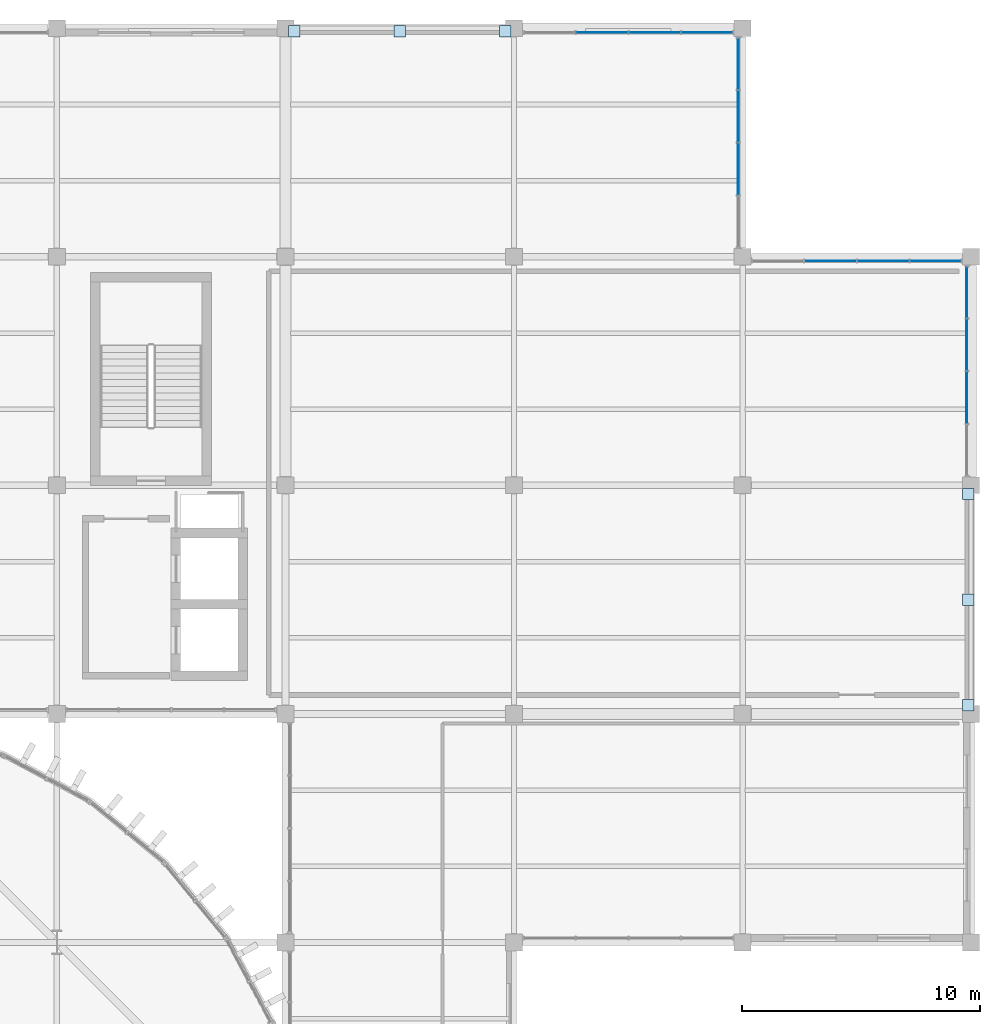
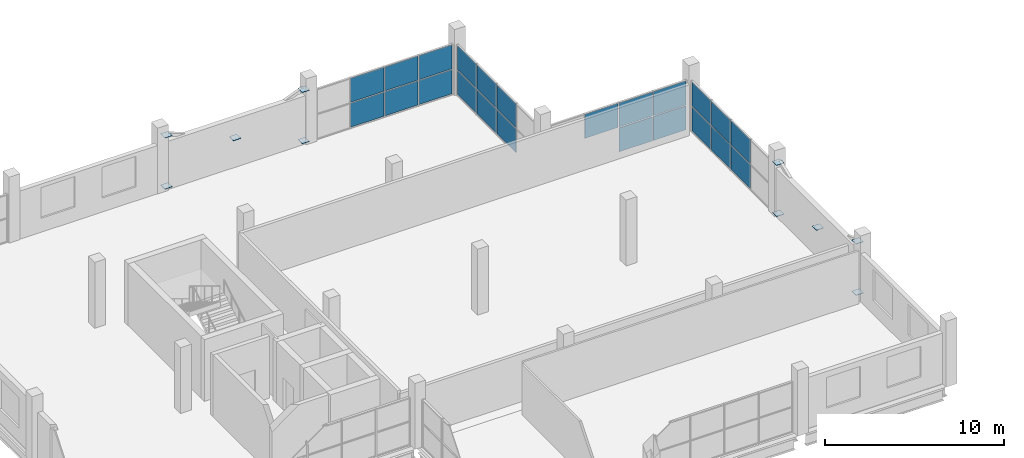
# One storey, part 55 of 92: 33 plates, 4 elements without a shape of their own.
"""IFC4 building model written with IfcOpenShell, lengths in metres."""

from ifc_helpers import new_model, si_unit, direction, frame, origin, origin_2d, place, context, subcontext, project, spatial, rectangle, extrude, material, layer, layer_set, type_object, element, aggregate, save


model = new_model("IFC4")

# Units and contexts
model_context = context("Model", 3, precision=1e-05, world=origin(), true_north=direction((0.0, 1.0)))
body_context = subcontext(model_context, "Body", "Model", "MODEL_VIEW")
ifc_project = project(units=[si_unit("LENGTHUNIT", "METRE"), si_unit("AREAUNIT", "SQUARE_METRE"), si_unit("VOLUMEUNIT", "CUBIC_METRE"), si_unit("PLANEANGLEUNIT", "RADIAN"), si_unit("MASSUNIT", "GRAM", prefix="KILO")], contexts=[model_context])

# Site, building, storey
site_placement = place(None, origin())
site = spatial("IfcSite", under=ifc_project, at=site_placement, CompositionType="ELEMENT")
building_placement = place(site_placement, origin())
building = spatial("IfcBuilding", under=site, at=building_placement, Name="Caelomonte Colonnade Arena", CompositionType="ELEMENT")
storey_placement = place(building_placement, frame((0.0, 0.0, 9.60009765625)))
storey = spatial("IfcBuildingStorey", under=building, at=storey_placement, Name="L02", CompositionType="ELEMENT", Elevation=9.60009765625)

# Curtain wall, plates
ifc_material_1 = material(Name="Bronze anodised aluminium and low-E glazing", Category="aluminium")
ifc_layer_1 = layer(ifc_material_1, 0.179931640625)
ifc_layer_set_1 = layer_set([ifc_layer_1], Name="Bronze anodised aluminium and low-E glazing")
curtain_wall_type = type_object("IfcCurtainWallType", Name="ENV-CW-CW-L02-96-35", PredefinedType="USERDEFINED", material=ifc_layer_set_1)
curtain_wall_1_placement = place(storey_placement, origin())
curtain_wall_1 = element("IfcCurtainWall", 1, at=curtain_wall_1_placement, inside=storey, type_object=curtain_wall_type, Name="L02 unitized curtain wall CW-L02-1918-1296", ObjectType="UNITIZED CURTAIN WALL", PredefinedType="USERDEFINED")
ifc_material_2 = material(Name="Solar-control bronze low-E double glazing", Category="glass")
ifc_layer_2 = layer(ifc_material_2, 0.028076171875)
ifc_layer_set_2 = layer_set([ifc_layer_2], Name="Solar-control bronze low-E double glazing")
plate_type_1 = type_object("IfcPlateType", Name="ENV-CW-PAN28", PredefinedType="CURTAIN_PANEL", material=ifc_layer_set_2)
plate_1_placement = place(storey_placement, frame((191.820068359375, 128.492431640625, 0.06494140625), z_axis=(0.0, 0.0, 1.0), x_axis=(0.0, 1.0, 0.0)))
plate_1 = element("IfcPlate", 2, at=plate_1_placement, type_object=plate_type_1, Name="CW-L02-96-35 panel 2.1", PredefinedType="CURTAIN_PANEL", context=body_context, shape_type="SweptSolid", body=[
    extrude(rectangle(XDim=2.14990234375, YDim=0.028076171875, at=origin_2d()), origin(), (0.0, 0.0, 1.0), 1.637451171875),
])
plate_2_placement = place(storey_placement, frame((191.820068359375, 128.492431640625, 1.767578125), z_axis=(0.0, 0.0, 1.0), x_axis=(0.0, 1.0, 0.0)))
plate_2 = element("IfcPlate", 3, at=plate_2_placement, type_object=plate_type_1, Name="CW-L02-96-35 panel 2.2", PredefinedType="CURTAIN_PANEL", context=body_context, shape_type="SweptSolid", body=[
    extrude(rectangle(XDim=2.14990234375, YDim=0.028076171875, at=origin_2d()), origin(), (0.0, 0.0, 1.0), 1.637451171875),
])
plate_3_placement = place(storey_placement, frame((191.820068359375, 130.70751953125, 0.06494140625), z_axis=(0.0, 0.0, 1.0), x_axis=(0.0, 1.0, 0.0)))
plate_3 = element("IfcPlate", 4, at=plate_3_placement, type_object=plate_type_1, Name="CW-L02-96-35 panel 3.1", PredefinedType="CURTAIN_PANEL", context=body_context, shape_type="SweptSolid", body=[
    extrude(rectangle(XDim=2.14990234375, YDim=0.028076171875, at=origin_2d()), origin(), (0.0, 0.0, 1.0), 1.637451171875),
])
plate_4_placement = place(storey_placement, frame((191.820068359375, 130.70751953125, 1.767578125), z_axis=(0.0, 0.0, 1.0), x_axis=(0.0, 1.0, 0.0)))
plate_4 = element("IfcPlate", 5, at=plate_4_placement, type_object=plate_type_1, Name="CW-L02-96-35 panel 3.2", PredefinedType="CURTAIN_PANEL", context=body_context, shape_type="SweptSolid", body=[
    extrude(rectangle(XDim=2.14990234375, YDim=0.028076171875, at=origin_2d()), origin(), (0.0, 0.0, 1.0), 1.637451171875),
])
plate_5_placement = place(storey_placement, frame((191.820068359375, 132.90625, 0.06494140625), z_axis=(0.0, 0.0, 1.0), x_axis=(0.0, 1.0, 0.0)))
plate_5 = element("IfcPlate", 6, at=plate_5_placement, type_object=plate_type_1, Name="CW-L02-96-35 panel 4.1", PredefinedType="CURTAIN_PANEL", context=body_context, shape_type="SweptSolid", body=[
    extrude(rectangle(XDim=2.117431640625, YDim=0.028076171875, at=origin_2d()), origin(), (0.0, 0.0, 1.0), 1.637451171875),
])
plate_6_placement = place(storey_placement, frame((191.820068359375, 132.90625, 1.767578125), z_axis=(0.0, 0.0, 1.0), x_axis=(0.0, 1.0, 0.0)))
plate_6 = element("IfcPlate", 7, at=plate_6_placement, type_object=plate_type_1, Name="CW-L02-96-35 panel 4.2", PredefinedType="CURTAIN_PANEL", context=body_context, shape_type="SweptSolid", body=[
    extrude(rectangle(XDim=2.117431640625, YDim=0.028076171875, at=origin_2d()), origin(), (0.0, 0.0, 1.0), 1.637451171875),
])
aggregate(curtain_wall_1, [plate_1, plate_2, plate_3, plate_4, plate_5, plate_6])

curtain_wall_2_placement = place(storey_placement, origin())
curtain_wall_2 = element("IfcCurtainWall", 8, at=curtain_wall_2_placement, inside=storey, type_object=curtain_wall_type, Name="L02 unitized curtain wall CW-L02-1872-1342", ObjectType="UNITIZED CURTAIN WALL", PredefinedType="USERDEFINED")
plate_7_placement = place(storey_placement, frame((190.50634765625, 134.219970703125, 0.06494140625), z_axis=(0.0, 0.0, 1.0), x_axis=(-1.0, 0.0, 0.0)))
plate_7 = element("IfcPlate", 9, at=plate_7_placement, type_object=plate_type_1, Name="CW-L02-96-35 panel 1.1", PredefinedType="CURTAIN_PANEL", context=body_context, shape_type="SweptSolid", body=[
    extrude(rectangle(XDim=2.117431640625, YDim=0.028076171875, at=origin_2d()), origin(), (0.0, 0.0, 1.0), 1.63525390625),
])
plate_8_placement = place(storey_placement, frame((190.50634765625, 134.219970703125, 1.76513671875), z_axis=(0.0, 0.0, 1.0), x_axis=(-1.0, 0.0, 0.0)))
plate_8 = element("IfcPlate", 10, at=plate_8_placement, type_object=plate_type_1, Name="CW-L02-96-35 panel 1.2", PredefinedType="CURTAIN_PANEL", context=body_context, shape_type="SweptSolid", body=[
    extrude(rectangle(XDim=2.117431640625, YDim=0.028076171875, at=origin_2d()), origin(), (0.0, 0.0, 1.0), 1.63525390625),
])
plate_9_placement = place(storey_placement, frame((188.3076171875, 134.219970703125, 0.06494140625), z_axis=(0.0, 0.0, 1.0), x_axis=(-1.0, 0.0, 0.0)))
plate_9 = element("IfcPlate", 11, at=plate_9_placement, type_object=plate_type_1, Name="CW-L02-96-35 panel 2.1", PredefinedType="CURTAIN_PANEL", context=body_context, shape_type="SweptSolid", body=[
    extrude(rectangle(XDim=2.14990234375, YDim=0.028076171875, at=origin_2d()), origin(), (0.0, 0.0, 1.0), 1.63525390625),
])
plate_10_placement = place(storey_placement, frame((188.3076171875, 134.219970703125, 1.76513671875), z_axis=(0.0, 0.0, 1.0), x_axis=(-1.0, 0.0, 0.0)))
plate_10 = element("IfcPlate", 12, at=plate_10_placement, type_object=plate_type_1, Name="CW-L02-96-35 panel 2.2", PredefinedType="CURTAIN_PANEL", context=body_context, shape_type="SweptSolid", body=[
    extrude(rectangle(XDim=2.14990234375, YDim=0.028076171875, at=origin_2d()), origin(), (0.0, 0.0, 1.0), 1.63525390625),
])
plate_11_placement = place(storey_placement, frame((186.092529296875, 134.219970703125, 1.76513671875), z_axis=(0.0, 0.0, 1.0), x_axis=(-1.0, 0.0, 0.0)))
plate_11 = element("IfcPlate", 13, at=plate_11_placement, type_object=plate_type_1, Name="CW-L02-96-35 panel 3.2", PredefinedType="CURTAIN_PANEL", context=body_context, shape_type="SweptSolid", body=[
    extrude(rectangle(XDim=2.14990234375, YDim=0.028076171875, at=origin_2d()), origin(), (0.0, 0.0, 1.0), 1.63525390625),
])
aggregate(curtain_wall_2, [plate_7, plate_8, plate_9, plate_10, plate_11])

curtain_wall_3_placement = place(storey_placement, origin())
curtain_wall_3 = element("IfcCurtainWall", 14, at=curtain_wall_3_placement, inside=storey, type_object=curtain_wall_type, Name="L02 unitized curtain wall CW-L02-1822-1392", ObjectType="UNITIZED CURTAIN WALL", PredefinedType="USERDEFINED")
plate_12_placement = place(storey_placement, frame((182.219970703125, 138.092529296875, 0.06494140625), z_axis=(0.0, 0.0, 1.0), x_axis=(0.0, 1.0, 0.0)))
plate_12 = element("IfcPlate", 15, at=plate_12_placement, type_object=plate_type_1, Name="CW-L02-96-35 panel 2.1", PredefinedType="CURTAIN_PANEL", context=body_context, shape_type="SweptSolid", body=[
    extrude(rectangle(XDim=2.14990234375, YDim=0.028076171875, at=origin_2d()), origin(), (0.0, 0.0, 1.0), 1.637451171875),
])
plate_13_placement = place(storey_placement, frame((182.219970703125, 138.092529296875, 1.767578125), z_axis=(0.0, 0.0, 1.0), x_axis=(0.0, 1.0, 0.0)))
plate_13 = element("IfcPlate", 16, at=plate_13_placement, type_object=plate_type_1, Name="CW-L02-96-35 panel 2.2", PredefinedType="CURTAIN_PANEL", context=body_context, shape_type="SweptSolid", body=[
    extrude(rectangle(XDim=2.14990234375, YDim=0.028076171875, at=origin_2d()), origin(), (0.0, 0.0, 1.0), 1.637451171875),
])
plate_14_placement = place(storey_placement, frame((182.219970703125, 140.3076171875, 0.06494140625), z_axis=(0.0, 0.0, 1.0), x_axis=(0.0, 1.0, 0.0)))
plate_14 = element("IfcPlate", 17, at=plate_14_placement, type_object=plate_type_1, Name="CW-L02-96-35 panel 3.1", PredefinedType="CURTAIN_PANEL", context=body_context, shape_type="SweptSolid", body=[
    extrude(rectangle(XDim=2.14990234375, YDim=0.028076171875, at=origin_2d()), origin(), (0.0, 0.0, 1.0), 1.637451171875),
])
plate_15_placement = place(storey_placement, frame((182.219970703125, 140.3076171875, 1.767578125), z_axis=(0.0, 0.0, 1.0), x_axis=(0.0, 1.0, 0.0)))
plate_15 = element("IfcPlate", 18, at=plate_15_placement, type_object=plate_type_1, Name="CW-L02-96-35 panel 3.2", PredefinedType="CURTAIN_PANEL", context=body_context, shape_type="SweptSolid", body=[
    extrude(rectangle(XDim=2.14990234375, YDim=0.028076171875, at=origin_2d()), origin(), (0.0, 0.0, 1.0), 1.637451171875),
])
plate_16_placement = place(storey_placement, frame((182.219970703125, 142.50634765625, 0.06494140625), z_axis=(0.0, 0.0, 1.0), x_axis=(0.0, 1.0, 0.0)))
plate_16 = element("IfcPlate", 19, at=plate_16_placement, type_object=plate_type_1, Name="CW-L02-96-35 panel 4.1", PredefinedType="CURTAIN_PANEL", context=body_context, shape_type="SweptSolid", body=[
    extrude(rectangle(XDim=2.117431640625, YDim=0.028076171875, at=origin_2d()), origin(), (0.0, 0.0, 1.0), 1.637451171875),
])
plate_17_placement = place(storey_placement, frame((182.219970703125, 142.50634765625, 1.767578125), z_axis=(0.0, 0.0, 1.0), x_axis=(0.0, 1.0, 0.0)))
plate_17 = element("IfcPlate", 20, at=plate_17_placement, type_object=plate_type_1, Name="CW-L02-96-35 panel 4.2", PredefinedType="CURTAIN_PANEL", context=body_context, shape_type="SweptSolid", body=[
    extrude(rectangle(XDim=2.117431640625, YDim=0.028076171875, at=origin_2d()), origin(), (0.0, 0.0, 1.0), 1.637451171875),
])
aggregate(curtain_wall_3, [plate_12, plate_13, plate_14, plate_15, plate_16, plate_17])

curtain_wall_4_placement = place(storey_placement, origin())
curtain_wall_4 = element("IfcCurtainWall", 21, at=curtain_wall_4_placement, inside=storey, type_object=curtain_wall_type, Name="L02 unitized curtain wall CW-L02-1776-1438", ObjectType="UNITIZED CURTAIN WALL", PredefinedType="USERDEFINED")
plate_18_placement = place(storey_placement, frame((180.90625, 143.820068359375, 0.06494140625), z_axis=(0.0, 0.0, 1.0), x_axis=(-1.0, 0.0, 0.0)))
plate_18 = element("IfcPlate", 22, at=plate_18_placement, type_object=plate_type_1, Name="CW-L02-96-35 panel 1.1", PredefinedType="CURTAIN_PANEL", context=body_context, shape_type="SweptSolid", body=[
    extrude(rectangle(XDim=2.117431640625, YDim=0.028076171875, at=origin_2d()), origin(), (0.0, 0.0, 1.0), 1.637451171875),
])
plate_19_placement = place(storey_placement, frame((180.90625, 143.820068359375, 1.767578125), z_axis=(0.0, 0.0, 1.0), x_axis=(-1.0, 0.0, 0.0)))
plate_19 = element("IfcPlate", 23, at=plate_19_placement, type_object=plate_type_1, Name="CW-L02-96-35 panel 1.2", PredefinedType="CURTAIN_PANEL", context=body_context, shape_type="SweptSolid", body=[
    extrude(rectangle(XDim=2.117431640625, YDim=0.028076171875, at=origin_2d()), origin(), (0.0, 0.0, 1.0), 1.637451171875),
])
plate_20_placement = place(storey_placement, frame((178.70751953125, 143.820068359375, 0.06494140625), z_axis=(0.0, 0.0, 1.0), x_axis=(-1.0, 0.0, 0.0)))
plate_20 = element("IfcPlate", 24, at=plate_20_placement, type_object=plate_type_1, Name="CW-L02-96-35 panel 2.1", PredefinedType="CURTAIN_PANEL", context=body_context, shape_type="SweptSolid", body=[
    extrude(rectangle(XDim=2.14990234375, YDim=0.028076171875, at=origin_2d()), origin(), (0.0, 0.0, 1.0), 1.637451171875),
])
plate_21_placement = place(storey_placement, frame((178.70751953125, 143.820068359375, 1.767578125), z_axis=(0.0, 0.0, 1.0), x_axis=(-1.0, 0.0, 0.0)))
plate_21 = element("IfcPlate", 25, at=plate_21_placement, type_object=plate_type_1, Name="CW-L02-96-35 panel 2.2", PredefinedType="CURTAIN_PANEL", context=body_context, shape_type="SweptSolid", body=[
    extrude(rectangle(XDim=2.14990234375, YDim=0.028076171875, at=origin_2d()), origin(), (0.0, 0.0, 1.0), 1.637451171875),
])
plate_22_placement = place(storey_placement, frame((176.492431640625, 143.820068359375, 0.06494140625), z_axis=(0.0, 0.0, 1.0), x_axis=(-1.0, 0.0, 0.0)))
plate_22 = element("IfcPlate", 26, at=plate_22_placement, type_object=plate_type_1, Name="CW-L02-96-35 panel 3.1", PredefinedType="CURTAIN_PANEL", context=body_context, shape_type="SweptSolid", body=[
    extrude(rectangle(XDim=2.14990234375, YDim=0.028076171875, at=origin_2d()), origin(), (0.0, 0.0, 1.0), 1.637451171875),
])
plate_23_placement = place(storey_placement, frame((176.492431640625, 143.820068359375, 1.767578125), z_axis=(0.0, 0.0, 1.0), x_axis=(-1.0, 0.0, 0.0)))
plate_23 = element("IfcPlate", 27, at=plate_23_placement, type_object=plate_type_1, Name="CW-L02-96-35 panel 3.2", PredefinedType="CURTAIN_PANEL", context=body_context, shape_type="SweptSolid", body=[
    extrude(rectangle(XDim=2.14990234375, YDim=0.028076171875, at=origin_2d()), origin(), (0.0, 0.0, 1.0), 1.637451171875),
])
aggregate(curtain_wall_4, [plate_18, plate_19, plate_20, plate_21, plate_22, plate_23])

# Plates
ifc_material_3 = material(Name="Steel ASTM A572 Grade 50", Category="steel")
ifc_layer_3 = layer(ifc_material_3, 0.02490234375)
ifc_layer_set_3 = layer_set([ifc_layer_3], Name="Steel ASTM A572 Grade 50")
plate_type_2 = type_object("IfcPlateType", Name="STR-PL-PN01", PredefinedType="USERDEFINED", material=ifc_layer_set_3)
for number, where, z_axis, x_axis, name in (
    (28, (168.0, 143.885009765625, 1.8974609375), (0.0, 0.0, 1.0), (1.0, 0.0, 0.0), "Braced frame BF3 L02 gusset plate X"),
    (29, (163.56005859375, 143.885009765625, 0.1474609375), (0.0, 0.0, 1.0), (1.0, 0.0, 0.0), "Braced frame BF3 L02 gusset plate BL"),
    (30, (172.43994140625, 143.885009765625, 0.1474609375), (0.0, 0.0, 1.0), (1.0, 0.0, 0.0), "Braced frame BF3 L02 gusset plate BR"),
    (31, (163.56005859375, 143.885009765625, 3.6474609375), (0.0, 0.0, 1.0), (1.0, 0.0, 0.0), "Braced frame BF3 L02 gusset plate TL"),
    (32, (172.43994140625, 143.885009765625, 3.6474609375), (0.0, 0.0, 1.0), (1.0, 0.0, 0.0), "Braced frame BF3 L02 gusset plate TR"),
    (33, (191.885009765625, 120.0, 1.8974609375), (0.0, 0.0, 1.0), (1.0, 0.0, 0.0), "Braced frame BF4 L02 gusset plate X"),
    (34, (191.885009765625, 115.56005859375, 0.1474609375), (0.0, 0.0, 1.0), (1.0, 0.0, 0.0), "Braced frame BF4 L02 gusset plate BL"),
    (35, (191.885009765625, 124.43994140625, 0.1474609375), (0.0, 0.0, 1.0), (1.0, 0.0, 0.0), "Braced frame BF4 L02 gusset plate BR"),
    (36, (191.885009765625, 115.56005859375, 3.6474609375), (0.0, 0.0, 1.0), (1.0, 0.0, 0.0), "Braced frame BF4 L02 gusset plate TL"),
    (37, (191.885009765625, 124.43994140625, 3.6474609375), (0.0, 0.0, 1.0), (1.0, 0.0, 0.0), "Braced frame BF4 L02 gusset plate TR"),
):
    element("IfcPlate", number, at=place(storey_placement, frame(where, z_axis=z_axis, x_axis=x_axis)), inside=storey, type_object=plate_type_2, Name=name, ObjectType="GUSSET PLATE", PredefinedType="USERDEFINED", context=body_context, shape_type="SweptSolid", body=[
        extrude(rectangle(XDim=0.47998046875, YDim=0.47998046875, at=origin_2d()), origin(), (0.0, 0.0, 1.0), 0.02490234375),
    ])

save(model, "model.ifc")
